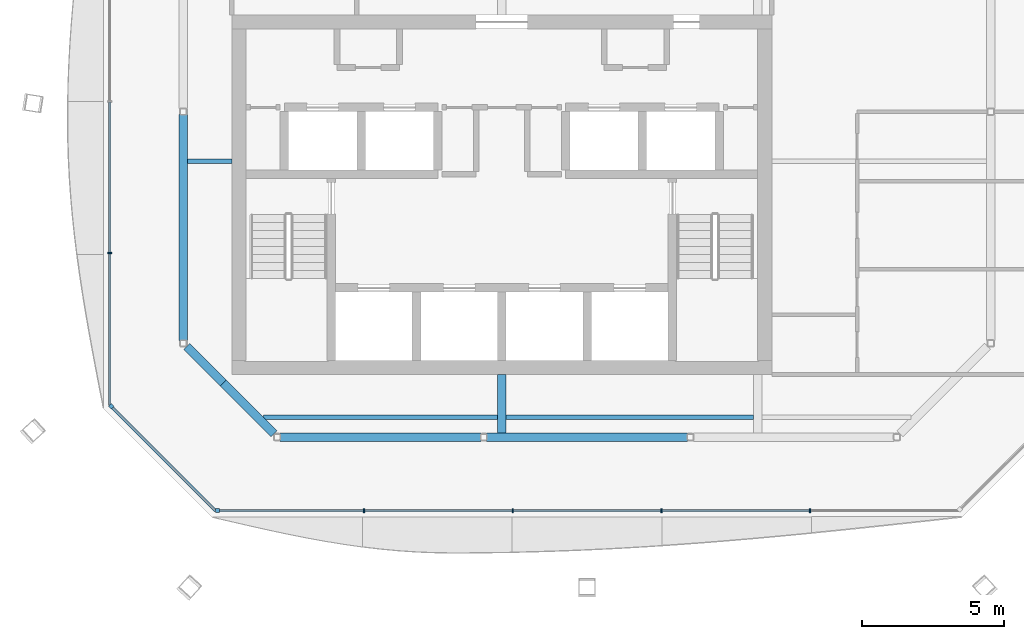
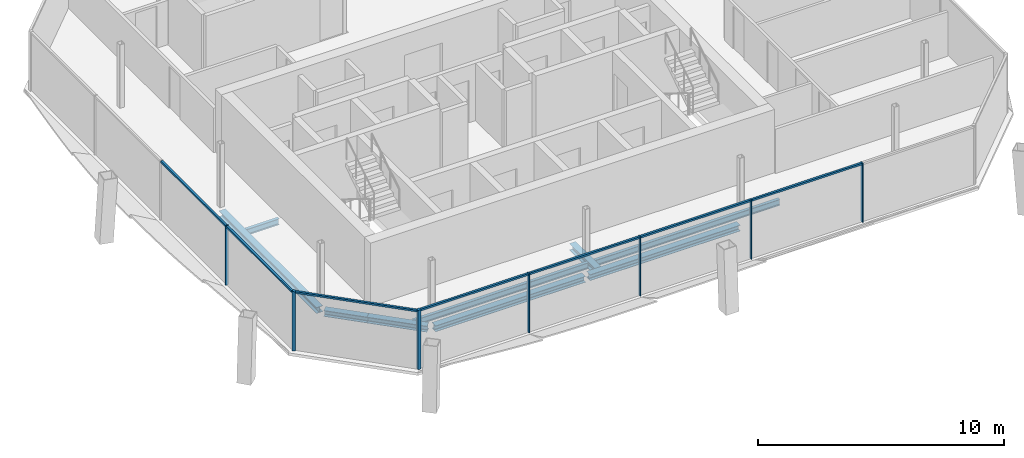
# One storey, part 3 of 16: 14 members, 9 beams, 3 elements without a shape of their own.
"""IFC4 building model written with IfcOpenShell, lengths in metres."""

from ifc_helpers import new_model, si_unit, direction, frame, origin, origin_2d, place, context, subcontext, project, spatial, rectangle, i_section, extrude, material, material_profile, profile_set, type_object, element, aggregate, save


model = new_model("IFC4")

# Units and contexts
model_context = context("Model", 3, precision=1e-05, world=origin(), true_north=direction((0.0, 1.0)))
body_context = subcontext(model_context, "Body", "Model", "MODEL_VIEW")
ifc_project = project(units=[si_unit("LENGTHUNIT", "METRE"), si_unit("AREAUNIT", "SQUARE_METRE"), si_unit("VOLUMEUNIT", "CUBIC_METRE"), si_unit("PLANEANGLEUNIT", "RADIAN"), si_unit("MASSUNIT", "GRAM", prefix="KILO")], contexts=[model_context])

# Site, building, storey
site_placement = place(None, origin())
site = spatial("IfcSite", under=ifc_project, at=site_placement, CompositionType="ELEMENT")
building_placement = place(site_placement, origin())
building = spatial("IfcBuilding", under=site, at=building_placement, Name="Tskaro Facet Tower", CompositionType="ELEMENT")
storey_placement = place(building_placement, frame((0.0, 0.0, 265.800048828125)))
storey = spatial("IfcBuildingStorey", under=building, at=storey_placement, Name="L70", CompositionType="ELEMENT", Elevation=265.800048828125)

# Curtain wall, member
ifc_material_1 = material(Name="Bronze anodised aluminium 6063-T6", Category="aluminium")
curtain_wall_type = type_object("IfcCurtainWallType", Name="Bronze residence curtain wall (FW3)", PredefinedType="NOTDEFINED", material=ifc_material_1)
curtain_wall_1_placement = place(storey_placement, origin())
curtain_wall_1 = element("IfcCurtainWall", 1, at=curtain_wall_1_placement, inside=storey, type_object=curtain_wall_type, Name="FW3 south facet L70", PredefinedType="NOTDEFINED")
ifc_material_profile_1 = material_profile(ifc_material_1, rectangle(XDim=0.139892578125, YDim=0.139892578125, at=origin_2d()), Name="Corner post 140x140")
ifc_profile_set_1 = profile_set([ifc_material_profile_1], Name="Bronze anodised aluminium 6063-T6")
member_type_1 = type_object("IfcMemberType", Name="FW3 bronze corner post 140x140", PredefinedType="MULLION", material=ifc_profile_set_1)
member_1_placement = place(storey_placement, frame((-10.0, -16.79296875, 0.0), z_axis=(0.0, 0.0, 1.0), x_axis=(1.0, 0.0, 0.0)))
member_1 = element("IfcMember", 2, at=member_1_placement, type_object=member_type_1, Name="FW3 south corner post", PredefinedType="MULLION", context=body_context, shape_type="SweptSolid", body=[
    extrude(rectangle(XDim=0.139892578125, YDim=0.139892578125, at=origin_2d()), origin(), (0.0, 0.0, 1.0), 2.949951171875),
])

curtain_wall_2_placement = place(storey_placement, origin())
curtain_wall_2 = element("IfcCurtainWall", 3, at=curtain_wall_2_placement, inside=storey, type_object=curtain_wall_type, Name="FW3 south-west facet L70", PredefinedType="NOTDEFINED")
member_2_placement = place(storey_placement, frame((-13.743408203125, -13.119384765625, 0.0), z_axis=(0.0, 0.0, 1.0), x_axis=(0.707106781187, -0.707106781187, 0.0)))
member_2 = element("IfcMember", 4, at=member_2_placement, type_object=member_type_1, Name="FW3 south-west corner post", PredefinedType="MULLION", context=body_context, shape_type="SweptSolid", body=[
    extrude(rectangle(XDim=0.139892578125, YDim=0.139892578125, at=origin_2d()), origin(), (0.0, 0.0, 1.0), 2.949951171875),
])

# Member
ifc_material_profile_2 = material_profile(ifc_material_1, rectangle(XDim=0.050048828125, YDim=0.139892578125, at=origin_2d()), Name="Mullion 50x140")
ifc_profile_set_2 = profile_set([ifc_material_profile_2], Name="Bronze anodised aluminium 6063-T6")
member_type_2 = type_object("IfcMemberType", Name="FW3 bronze mullion 50x140", PredefinedType="MULLION", material=ifc_profile_set_2)
member_3_placement = place(storey_placement, frame((-4.842041015625, -16.79296875, 0.0), z_axis=(0.0, 0.0, 1.0), x_axis=(1.0, 0.0, 0.0)))
member_3 = element("IfcMember", 5, at=member_3_placement, type_object=member_type_2, Name="FW3 south mullion 1", PredefinedType="MULLION", context=body_context, shape_type="SweptSolid", body=[
    extrude(rectangle(XDim=0.050048828125, YDim=0.139892578125, at=origin_2d()), origin(), (0.0, 0.0, 1.0), 2.949951171875),
])

member_4_placement = place(storey_placement, frame((0.385986328125, -16.79296875, 0.0), z_axis=(0.0, 0.0, 1.0), x_axis=(1.0, 0.0, 0.0)))
member_4 = element("IfcMember", 6, at=member_4_placement, type_object=member_type_2, Name="FW3 south mullion 2", PredefinedType="MULLION", context=body_context, shape_type="SweptSolid", body=[
    extrude(rectangle(XDim=0.050048828125, YDim=0.139892578125, at=origin_2d()), origin(), (0.0, 0.0, 1.0), 2.949951171875),
])

member_5_placement = place(storey_placement, frame((5.614013671875, -16.79296875, 0.0), z_axis=(0.0, 0.0, 1.0), x_axis=(1.0, 0.0, 0.0)))
member_5 = element("IfcMember", 7, at=member_5_placement, type_object=member_type_2, Name="FW3 south mullion 3", PredefinedType="MULLION", context=body_context, shape_type="SweptSolid", body=[
    extrude(rectangle(XDim=0.050048828125, YDim=0.139892578125, at=origin_2d()), origin(), (0.0, 0.0, 1.0), 2.949951171875),
])

member_6_placement = place(storey_placement, frame((10.842041015625, -16.79296875, 0.0), z_axis=(0.0, 0.0, 1.0), x_axis=(1.0, 0.0, 0.0)))
member_6 = element("IfcMember", 8, at=member_6_placement, type_object=member_type_2, Name="FW3 south mullion 4", PredefinedType="MULLION", context=body_context, shape_type="SweptSolid", body=[
    extrude(rectangle(XDim=0.050048828125, YDim=0.139892578125, at=origin_2d()), origin(), (0.0, 0.0, 1.0), 2.949951171875),
])

# Curtain wall, member
curtain_wall_3_placement = place(storey_placement, origin())
curtain_wall_3 = element("IfcCurtainWall", 9, at=curtain_wall_3_placement, inside=storey, type_object=curtain_wall_type, Name="FW3 west facet L70", PredefinedType="NOTDEFINED")
member_7_placement = place(storey_placement, frame((-13.79296875, -7.730712890625, 0.0), z_axis=(0.0, 0.0, 1.0), x_axis=(0.0, -1.0, 0.0)))
member_7 = element("IfcMember", 10, at=member_7_placement, type_object=member_type_2, Name="FW3 west mullion 3", PredefinedType="MULLION", context=body_context, shape_type="SweptSolid", body=[
    extrude(rectangle(XDim=0.050048828125, YDim=0.139892578125, at=origin_2d()), origin(), (0.0, 0.0, 1.0), 2.949951171875),
])

# Member
ifc_material_profile_3 = material_profile(ifc_material_1, rectangle(XDim=0.10009765625, YDim=0.090087890625, at=origin_2d()), Name="Transom 100x90")
ifc_profile_set_3 = profile_set([ifc_material_profile_3], Name="Bronze anodised aluminium 6063-T6")
member_type_3 = type_object("IfcMemberType", Name="FW3 bronze transom 100x90", PredefinedType="USERDEFINED", material=ifc_profile_set_3)
member_8_placement = place(storey_placement, frame((-9.929931640625, -16.79296875, 2.905029296875), z_axis=(1.0, 0.0, 0.0), x_axis=(0.0, 1.0, 0.0)))
member_8 = element("IfcMember", 11, at=member_8_placement, type_object=member_type_3, Name="FW3 south transom 1.1", ObjectType="TRANSOM", PredefinedType="USERDEFINED", context=body_context, shape_type="SweptSolid", body=[
    extrude(rectangle(XDim=0.10009765625, YDim=0.090087890625, at=origin_2d()), origin(), (0.0, 0.0, 1.0), 5.06298828125),
])

member_9_placement = place(storey_placement, frame((-4.81689453125, -16.79296875, 2.905029296875), z_axis=(1.0, 0.0, 0.0), x_axis=(0.0, 1.0, 0.0)))
member_9 = element("IfcMember", 12, at=member_9_placement, type_object=member_type_3, Name="FW3 south transom 2.1", ObjectType="TRANSOM", PredefinedType="USERDEFINED", context=body_context, shape_type="SweptSolid", body=[
    extrude(rectangle(XDim=0.10009765625, YDim=0.090087890625, at=origin_2d()), origin(), (0.0, 0.0, 1.0), 5.177978515625),
])

member_10_placement = place(storey_placement, frame((0.410888671875, -16.79296875, 2.905029296875), z_axis=(1.0, 0.0, 0.0), x_axis=(0.0, 1.0, 0.0)))
member_10 = element("IfcMember", 13, at=member_10_placement, type_object=member_type_3, Name="FW3 south transom 3.1", ObjectType="TRANSOM", PredefinedType="USERDEFINED", context=body_context, shape_type="SweptSolid", body=[
    extrude(rectangle(XDim=0.10009765625, YDim=0.090087890625, at=origin_2d()), origin(), (0.0, 0.0, 1.0), 5.17822265625),
])

member_11_placement = place(storey_placement, frame((5.638916015625, -16.79296875, 2.905029296875), z_axis=(1.0, 0.0, 0.0), x_axis=(0.0, 1.0, 0.0)))
member_11 = element("IfcMember", 14, at=member_11_placement, type_object=member_type_3, Name="FW3 south transom 4.1", ObjectType="TRANSOM", PredefinedType="USERDEFINED", context=body_context, shape_type="SweptSolid", body=[
    extrude(rectangle(XDim=0.10009765625, YDim=0.090087890625, at=origin_2d()), origin(), (0.0, 0.0, 1.0), 5.177978515625),
])

aggregate(curtain_wall_1, [member_1, member_3, member_4, member_5, member_6, member_8, member_9, member_10, member_11])

member_12_placement = place(storey_placement, frame((-13.79296875, -2.41650390625, 2.905029296875), z_axis=(0.0, -1.0, 0.0), x_axis=(1.0, 0.0, 0.0)))
member_12 = element("IfcMember", 15, at=member_12_placement, type_object=member_type_3, Name="FW3 west transom 3.1", ObjectType="TRANSOM", PredefinedType="USERDEFINED", context=body_context, shape_type="SweptSolid", body=[
    extrude(rectangle(XDim=0.10009765625, YDim=0.090087890625, at=origin_2d()), origin(), (0.0, 0.0, 1.0), 5.289306640625),
])

member_13_placement = place(storey_placement, frame((-13.79296875, -7.755859375, 2.905029296875), z_axis=(0.0, -1.0, 0.0), x_axis=(1.0, 0.0, 0.0)))
member_13 = element("IfcMember", 16, at=member_13_placement, type_object=member_type_3, Name="FW3 west transom 4.1", ObjectType="TRANSOM", PredefinedType="USERDEFINED", context=body_context, shape_type="SweptSolid", body=[
    extrude(rectangle(XDim=0.10009765625, YDim=0.090087890625, at=origin_2d()), origin(), (0.0, 0.0, 1.0), 5.314208984375),
])

aggregate(curtain_wall_3, [member_7, member_12, member_13])

member_14_placement = place(storey_placement, frame((-13.694091796875, -13.1689453125, 2.905029296875), z_axis=(0.707106781187, -0.707106781187, 0.0), x_axis=(0.707106781187, 0.707106781187, 0.0)))
member_14 = element("IfcMember", 17, at=member_14_placement, type_object=member_type_3, Name="FW3 south-west transom 1.1", ObjectType="TRANSOM", PredefinedType="USERDEFINED", context=body_context, shape_type="SweptSolid", body=[
    extrude(rectangle(XDim=0.10009765625, YDim=0.090087890625, at=origin_2d()), origin(), (0.0, 0.0, 1.0), 5.125244140625),
])

aggregate(curtain_wall_2, [member_2, member_14])

# Beams
ifc_material_2 = material(Name="Steel S355J2", Category="steel")
ifc_material_profile_4 = material_profile(ifc_material_2, i_section(OverallWidth=0.300048828125, OverallDepth=0.300048828125, WebThickness=0.010986328125, FlangeThickness=0.01904296875, FilletRadius=0.027099609375, at=origin_2d()), Name="HE 300 B")
ifc_profile_set_4 = profile_set([ifc_material_profile_4], Name="Steel S355J2")
beam_type_1 = type_object("IfcBeamType", Name="HE 300 B ring beam", PredefinedType="BEAM", material=ifc_profile_set_4)
beam_1_placement = place(storey_placement, frame((-7.798095703125, -14.199951171875, -0.2900390625), z_axis=(1.0, 0.0, 0.0), x_axis=(0.0, 1.0, 0.0)))
element("IfcBeam", 18, at=beam_1_placement, inside=storey, type_object=beam_type_1, Name="HE 300 B EB1-6", PredefinedType="BEAM", context=body_context, shape_type="SweptSolid", body=[
    extrude(i_section(OverallWidth=0.300048828125, OverallDepth=0.300048828125, WebThickness=0.010986328125, FlangeThickness=0.01904296875, FilletRadius=0.027099609375, at=origin_2d()), origin(), (0.0, 0.0, 1.0), 7.05908203125),
])
beam_2_placement = place(storey_placement, frame((-0.529052734375, -14.199951171875, -0.2900390625), z_axis=(1.0, 0.0, 0.0), x_axis=(0.0, 1.0, 0.0)))
element("IfcBeam", 19, at=beam_2_placement, inside=storey, type_object=beam_type_1, Name="HE 300 B EB2-6", PredefinedType="BEAM", context=body_context, shape_type="SweptSolid", body=[
    extrude(i_section(OverallWidth=0.300048828125, OverallDepth=0.300048828125, WebThickness=0.010986328125, FlangeThickness=0.01904296875, FilletRadius=0.027099609375, at=origin_2d()), origin(), (0.0, 0.0, 1.0), 7.05810546875),
])
beam_3_placement = place(storey_placement, frame((-11.199951171875, -2.85498046875, -0.2900390625), z_axis=(0.0, -1.0, 0.0), x_axis=(1.0, 0.0, 0.0)))
element("IfcBeam", 20, at=beam_3_placement, inside=storey, type_object=beam_type_1, Name="HE 300 B EB14-6", PredefinedType="BEAM", context=body_context, shape_type="SweptSolid", body=[
    extrude(i_section(OverallWidth=0.300048828125, OverallDepth=0.300048828125, WebThickness=0.010986328125, FlangeThickness=0.01904296875, FilletRadius=0.027099609375, at=origin_2d()), origin(), (0.0, 0.0, 1.0), 7.943115234375),
])
beam_4_placement = place(storey_placement, frame((-11.089111328125, -11.013916015625, -0.2900390625), z_axis=(0.707106781187, -0.707106781187, 0.0), x_axis=(0.707106781187, 0.707106781187, 0.0)))
element("IfcBeam", 21, at=beam_4_placement, inside=storey, type_object=beam_type_1, Name="HE 300 B EB15a-6", PredefinedType="BEAM", context=body_context, shape_type="SweptSolid", body=[
    extrude(i_section(OverallWidth=0.300048828125, OverallDepth=0.300048828125, WebThickness=0.010986328125, FlangeThickness=0.01904296875, FilletRadius=0.027099609375, at=origin_2d()), origin(), (0.0, 0.0, 1.0), 1.821044921875),
])
beam_5_placement = place(storey_placement, frame((-9.801513671875, -12.301513671875, -0.2900390625), z_axis=(0.707106781187, -0.707106781187, 0.0), x_axis=(0.707106781187, 0.707106781187, 0.0)))
element("IfcBeam", 22, at=beam_5_placement, inside=storey, type_object=beam_type_1, Name="HE 300 B EB15b-6", PredefinedType="BEAM", context=body_context, shape_type="SweptSolid", body=[
    extrude(i_section(OverallWidth=0.300048828125, OverallDepth=0.300048828125, WebThickness=0.010986328125, FlangeThickness=0.01904296875, FilletRadius=0.027099609375, at=origin_2d()), origin(), (0.0, 0.0, 1.0), 2.528076171875),
])
ifc_material_profile_5 = material_profile(ifc_material_2, i_section(OverallWidth=0.300048828125, OverallDepth=0.330078125, WebThickness=0.009521484375, FlangeThickness=0.0166015625, FilletRadius=0.027099609375, at=origin_2d()), Name="HE 340 A")
ifc_profile_set_5 = profile_set([ifc_material_profile_5], Name="Steel S355J2")
beam_type_2 = type_object("IfcBeamType", Name="HE 340 A girder", PredefinedType="BEAM", material=ifc_profile_set_5)
beam_6_placement = place(storey_placement, frame((0.0, -14.050048828125, -0.304931640625), z_axis=(0.0, 1.0, 0.0), x_axis=(-1.0, 0.0, 0.0)))
element("IfcBeam", 23, at=beam_6_placement, inside=storey, type_object=beam_type_2, Name="HE 340 A GB4-1-6", PredefinedType="BEAM", context=body_context, shape_type="SweptSolid", body=[
    extrude(i_section(OverallWidth=0.300048828125, OverallDepth=0.330078125, WebThickness=0.009521484375, FlangeThickness=0.0166015625, FilletRadius=0.027099609375, at=origin_2d()), origin(), (0.0, 0.0, 1.0), 2.050048828125),
])
ifc_material_profile_6 = material_profile(ifc_material_2, i_section(OverallWidth=0.14990234375, OverallDepth=0.300048828125, WebThickness=0.007080078125, FlangeThickness=0.0107421875, FilletRadius=0.014892578125, at=origin_2d()), Name="IPE 300")
ifc_profile_set_6 = profile_set([ifc_material_profile_6], Name="Steel S355J2")
beam_type_3 = type_object("IfcBeamType", Name="IPE 300 secondary beam", PredefinedType="BEAM", material=ifc_profile_set_6)
beam_7_placement = place(storey_placement, frame((-8.39111328125, -13.5, -0.2900390625), z_axis=(1.0, 0.0, 0.0), x_axis=(0.0, 1.0, 0.0)))
element("IfcBeam", 24, at=beam_7_placement, inside=storey, type_object=beam_type_3, Name="IPE 300 SB2a-1-6", PredefinedType="BEAM", context=body_context, shape_type="SweptSolid", body=[
    extrude(i_section(OverallWidth=0.14990234375, OverallDepth=0.300048828125, WebThickness=0.007080078125, FlangeThickness=0.0107421875, FilletRadius=0.014892578125, at=origin_2d()), origin(), (0.0, 0.0, 1.0), 8.2412109375),
])
beam_8_placement = place(storey_placement, frame((0.14990234375, -13.5, -0.2900390625), z_axis=(1.0, 0.0, 0.0), x_axis=(0.0, 1.0, 0.0)))
element("IfcBeam", 25, at=beam_8_placement, inside=storey, type_object=beam_type_3, Name="IPE 300 SB2a-2-6", PredefinedType="BEAM", context=body_context, shape_type="SweptSolid", body=[
    extrude(i_section(OverallWidth=0.14990234375, OverallDepth=0.300048828125, WebThickness=0.007080078125, FlangeThickness=0.0107421875, FilletRadius=0.014892578125, at=origin_2d()), origin(), (0.0, 0.0, 1.0), 8.7001953125),
])
beam_9_placement = place(storey_placement, frame((-11.050048828125, -4.5, -0.2900390625), z_axis=(1.0, 0.0, 0.0), x_axis=(0.0, 1.0, 0.0)))
element("IfcBeam", 26, at=beam_9_placement, inside=storey, type_object=beam_type_3, Name="IPE 300 SB3a-1-6", PredefinedType="BEAM", context=body_context, shape_type="SweptSolid", body=[
    extrude(i_section(OverallWidth=0.14990234375, OverallDepth=0.300048828125, WebThickness=0.007080078125, FlangeThickness=0.0107421875, FilletRadius=0.014892578125, at=origin_2d()), origin(), (0.0, 0.0, 1.0), 1.550048828125),
])

save(model, "model.ifc")
